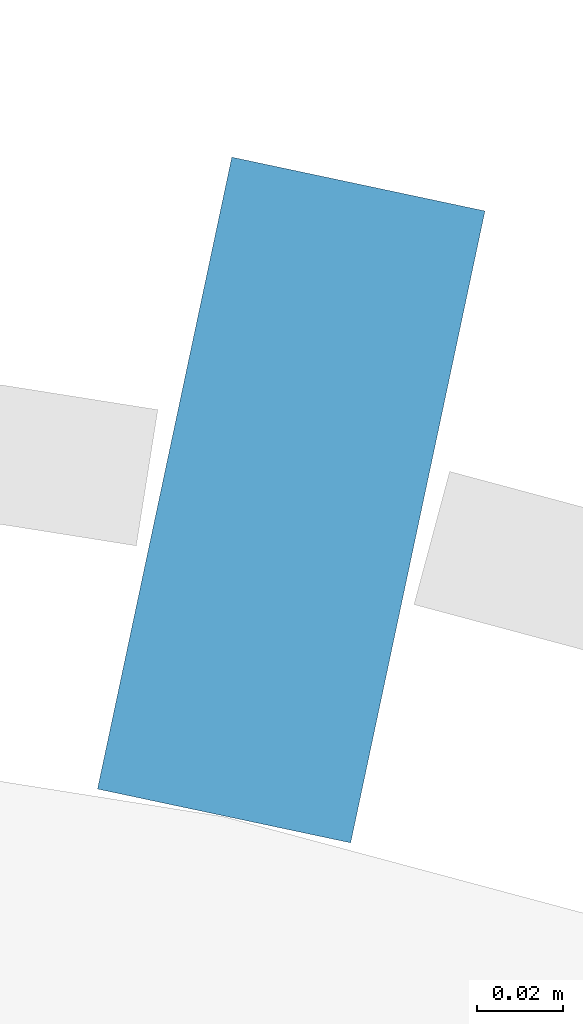
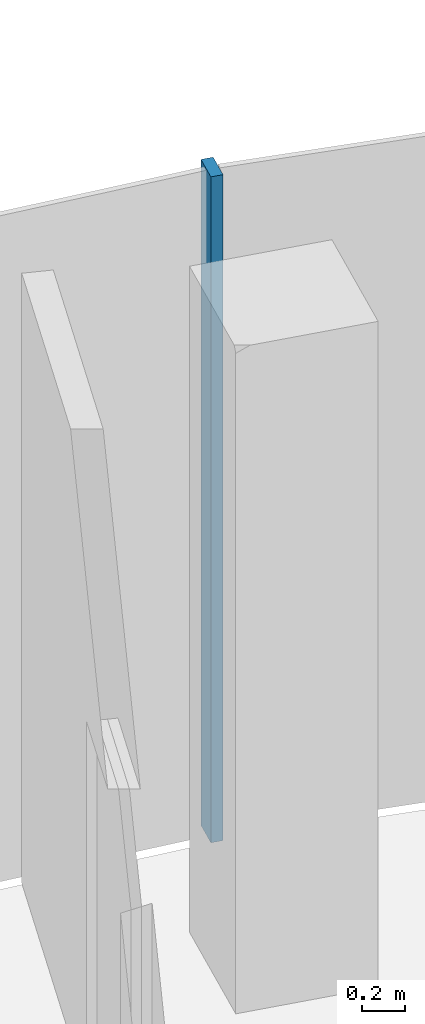
# One storey, part 7 of 18: 1 member, 1 element without a shape of its own.
"""IFC4 building model written with IfcOpenShell, lengths in metres."""

from ifc_helpers import new_model, si_unit, direction, frame, origin, origin_2d, place, context, subcontext, project, spatial, rectangle, extrude, material, layer, layer_set, material_profile, profile_set, type_object, element, aggregate, save


model = new_model("IFC4")

# Units and contexts
model_context = context("Model", 3, precision=1e-05, world=origin(), true_north=direction((0.0, 1.0)))
body_context = subcontext(model_context, "Body", "Model", "MODEL_VIEW")
ifc_project = project(units=[si_unit("LENGTHUNIT", "METRE"), si_unit("AREAUNIT", "SQUARE_METRE"), si_unit("VOLUMEUNIT", "CUBIC_METRE"), si_unit("PLANEANGLEUNIT", "RADIAN"), si_unit("MASSUNIT", "GRAM", prefix="KILO")], contexts=[model_context])

# Site, building, storey
site_placement = place(None, origin())
site = spatial("IfcSite", under=ifc_project, at=site_placement, CompositionType="ELEMENT")
building_placement = place(site_placement, origin())
building = spatial("IfcBuilding", under=site, at=building_placement, Name="Stone Belt Terrace Tower", CompositionType="ELEMENT")
storey_placement = place(building_placement, frame((0.0, 0.0, 296.0)))
storey = spatial("IfcBuildingStorey", under=building, at=storey_placement, Name="L72", CompositionType="ELEMENT", Elevation=296.0)

# Curtain wall, member
ifc_material = material(Name="Aluminium 6063-T6 anodised frame", Category="aluminium")
ifc_layer = layer(ifc_material, 0.14990234375)
ifc_layer_set = layer_set([ifc_layer], Name="CW-A unitised convex-face curtain wall")
curtain_wall_type = type_object("IfcCurtainWallType", Name="CW-A unitised convex-face curtain wall", PredefinedType="NOTDEFINED", material=ifc_layer_set)
curtain_wall_placement = place(storey_placement, origin())
curtain_wall = element("IfcCurtainWall", 1, at=curtain_wall_placement, inside=storey, type_object=curtain_wall_type, Name="CW-A convex face L72", PredefinedType="NOTDEFINED")
ifc_material_profile = material_profile(ifc_material, rectangle(XDim=0.14990234375, YDim=0.06005859375, at=origin_2d()), Name="Aluminium 6063-T6 60x150")
ifc_profile_set = profile_set([ifc_material_profile], Name="Aluminium 6063-T6 anodised frame")
member_type = type_object("IfcMemberType", Name="CW-A mullion 60 x 150", PredefinedType="MULLION", material=ifc_profile_set)
member_placement = place(storey_placement, frame((13.841796875, 65.120361328125, 0.0), z_axis=(0.0, 0.0, 1.0), x_axis=(-0.207911690818, -0.978147600734, 0.0)))
member = element("IfcMember", 2, at=member_placement, type_object=member_type, Name="CW-A mullion 6", PredefinedType="MULLION", context=body_context, shape_type="SweptSolid", body=[
    extrude(rectangle(XDim=0.14990234375, YDim=0.06005859375, at=origin_2d()), origin(), (0.0, 0.0, 1.0), 3.800048828125),
])
aggregate(curtain_wall, [member])

save(model, "model.ifc")
